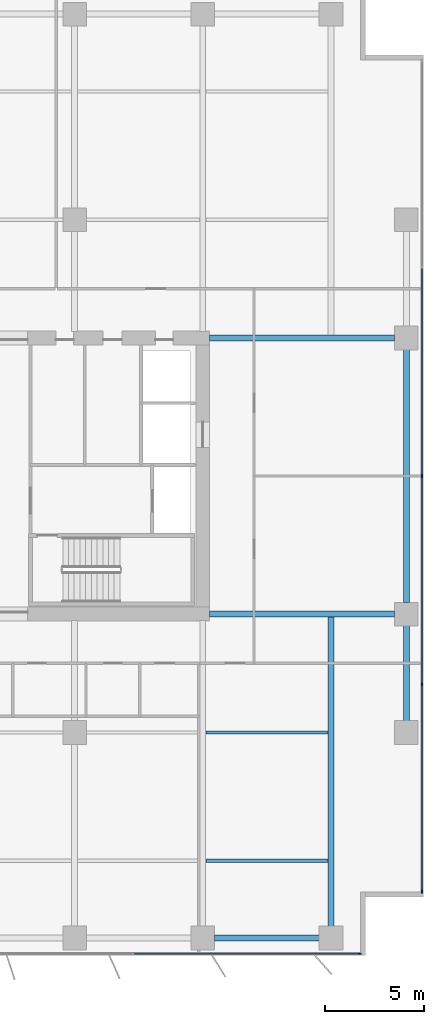
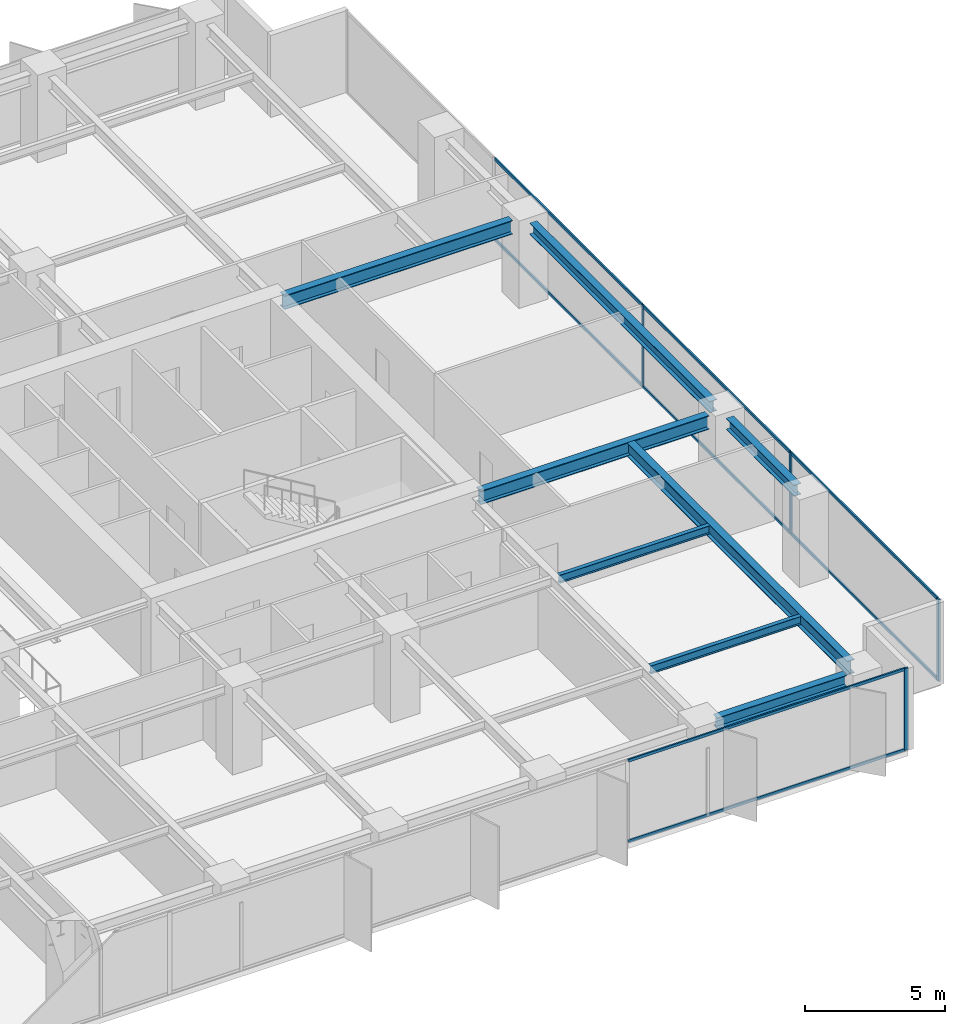
# One storey, part 10 of 20: 12 members, 8 beams, 2 elements without a shape of their own.
"""IFC4 building model written with IfcOpenShell, lengths in metres."""

from ifc_helpers import new_model, si_unit, direction, frame, origin, origin_2d, place, context, subcontext, project, spatial, rectangle, i_section, extrude, material, layer, layer_set, material_profile, profile_set, type_object, element, aggregate, save


model = new_model("IFC4")

# Units and contexts
model_context = context("Model", 3, precision=1e-05, world=origin(), true_north=direction((0.0, 1.0)))
body_context = subcontext(model_context, "Body", "Model", "MODEL_VIEW")
ifc_project = project(units=[si_unit("LENGTHUNIT", "METRE"), si_unit("AREAUNIT", "SQUARE_METRE"), si_unit("VOLUMEUNIT", "CUBIC_METRE"), si_unit("PLANEANGLEUNIT", "RADIAN"), si_unit("MASSUNIT", "GRAM", prefix="KILO")], contexts=[model_context])

# Site, building, storey
site_placement = place(None, origin())
site = spatial("IfcSite", under=ifc_project, at=site_placement, CompositionType="ELEMENT")
building_placement = place(site_placement, origin())
building = spatial("IfcBuilding", under=site, at=building_placement, Name="Putna Gate Headquarters", CompositionType="ELEMENT")
storey_placement = place(building_placement, frame((0.0, 0.0, 93.60009765625)))
storey = spatial("IfcBuildingStorey", under=building, at=storey_placement, Name="L22", CompositionType="ELEMENT", Elevation=93.60009765625)

# Beams
ifc_material_1 = material(Name="Steel S355J2", Category="steel")
ifc_material_profile_1 = material_profile(ifc_material_1, i_section(OverallWidth=0.300048828125, OverallDepth=0.60009765625, WebThickness=0.015380859375, FlangeThickness=0.030029296875, at=origin_2d()), Name="Steel S355J2")
ifc_profile_set_1 = profile_set([ifc_material_profile_1], Name="Steel S355J2")
beam_type_1 = type_object("IfcBeamType", Name="BM-GIRD-Z2-HEB600", PredefinedType="USERDEFINED", material=ifc_profile_set_1)
for number, where, z_axis, x_axis, name in (
    (1, (65.3349609375, 19.0, 3.264892578125), (1.0, 0.0, 0.0), (0.0, 1.0, 0.0), "L22 East Wing Girder Y19"),
    (2, (65.3349609375, 33.0, 3.264892578125), (1.0, 0.0, 0.0), (0.0, 1.0, 0.0), "L22 East Wing Girder Y33"),
):
    element("IfcBeam", number, at=place(storey_placement, frame(where, z_axis=z_axis, x_axis=x_axis)), inside=storey, type_object=beam_type_1, Name=name, ObjectType="GIRDER", PredefinedType="USERDEFINED", context=body_context, shape_type="SweptSolid", body=[
        extrude(i_section(OverallWidth=0.300048828125, OverallDepth=0.60009765625, WebThickness=0.015380859375, FlangeThickness=0.030029296875, at=origin_2d()), origin(), (0.0, 0.0, 1.0), 9.39697265625),
    ])
beam_1_placement = place(storey_placement, frame((71.5, 3.16796875, 3.264892578125), z_axis=(0.0, 1.0, 0.0), x_axis=(-1.0, 0.0, 0.0)))
element("IfcBeam", 3, at=beam_1_placement, inside=storey, type_object=beam_type_1, Name="L22 South Primary Girder X71", ObjectType="GIRDER", PredefinedType="USERDEFINED", context=body_context, shape_type="SweptSolid", body=[
    extrude(i_section(OverallWidth=0.300048828125, OverallDepth=0.60009765625, WebThickness=0.015380859375, FlangeThickness=0.030029296875, at=origin_2d()), origin(), (0.0, 0.0, 1.0), 15.820068359375),
])
ifc_material_profile_2 = material_profile(ifc_material_1, i_section(OverallWidth=0.169921875, OverallDepth=0.360107421875, WebThickness=0.008056640625, FlangeThickness=0.0126953125, at=origin_2d()), Name="Steel S355J2")
ifc_profile_set_2 = profile_set([ifc_material_profile_2], Name="Steel S355J2")
beam_type_2 = type_object("IfcBeamType", Name="BM-SEC-Z2-IPE360", PredefinedType="BEAM", material=ifc_profile_set_2)
for number, where, z_axis, x_axis, name in (
    (4, (65.154052734375, 6.5, 3.385009765625), (1.0, 0.0, 0.0), (0.0, 1.0, 0.0), "L22 South Secondary Beam 10"),
    (5, (65.154052734375, 13.0, 3.385009765625), (1.0, 0.0, 0.0), (0.0, 1.0, 0.0), "L22 South Secondary Beam 10"),
):
    element("IfcBeam", number, at=place(storey_placement, frame(where, z_axis=z_axis, x_axis=x_axis)), inside=storey, type_object=beam_type_2, Name=name, PredefinedType="BEAM", context=body_context, shape_type="SweptSolid", body=[
        extrude(i_section(OverallWidth=0.169921875, OverallDepth=0.360107421875, WebThickness=0.008056640625, FlangeThickness=0.0126953125, at=origin_2d()), origin(), (0.0, 0.0, 1.0), 6.19189453125),
    ])
ifc_material_profile_3 = material_profile(ifc_material_1, i_section(OverallWidth=0.300048828125, OverallDepth=0.489990234375, WebThickness=0.011962890625, FlangeThickness=0.02294921875, at=origin_2d()), Name="Steel S355J2")
ifc_profile_set_3 = profile_set([ifc_material_profile_3], Name="Steel S355J2")
beam_type_3 = type_object("IfcBeamType", Name="BM-SPAN-Z2-HEA500", PredefinedType="SPANDREL", material=ifc_profile_set_3)
beam_2_placement = place(storey_placement, frame((65.587890625, 2.580078125, 3.31982421875), z_axis=(1.0, 0.0, 0.0), x_axis=(0.0, 1.0, 0.0)))
element("IfcBeam", 6, at=beam_2_placement, inside=storey, type_object=beam_type_3, Name="L22 S Perimeter Spandrel 10", PredefinedType="SPANDREL", context=body_context, shape_type="SweptSolid", body=[
    extrude(i_section(OverallWidth=0.300048828125, OverallDepth=0.489990234375, WebThickness=0.011962890625, FlangeThickness=0.02294921875, at=origin_2d()), origin(), (0.0, 0.0, 1.0), 5.32421875),
])
beam_3_placement = place(storey_placement, frame((75.320068359375, 13.587890625, 3.31982421875), z_axis=(0.0, 1.0, 0.0), x_axis=(-1.0, 0.0, 0.0)))
element("IfcBeam", 7, at=beam_3_placement, inside=storey, type_object=beam_type_3, Name="L22 E End Spandrel 1", PredefinedType="SPANDREL", context=body_context, shape_type="SweptSolid", body=[
    extrude(i_section(OverallWidth=0.300048828125, OverallDepth=0.489990234375, WebThickness=0.011962890625, FlangeThickness=0.02294921875, at=origin_2d()), origin(), (0.0, 0.0, 1.0), 4.82421875),
])
beam_4_placement = place(storey_placement, frame((75.320068359375, 19.587890625, 3.31982421875), z_axis=(0.0, 1.0, 0.0), x_axis=(-1.0, 0.0, 0.0)))
element("IfcBeam", 8, at=beam_4_placement, inside=storey, type_object=beam_type_3, Name="L22 E End Spandrel 2", PredefinedType="SPANDREL", context=body_context, shape_type="SweptSolid", body=[
    extrude(i_section(OverallWidth=0.300048828125, OverallDepth=0.489990234375, WebThickness=0.011962890625, FlangeThickness=0.02294921875, at=origin_2d()), origin(), (0.0, 0.0, 1.0), 12.82421875),
])

# Curtain wall, member
ifc_material_2 = material(Name="Anodised bronze aluminium curtain wall", Category="aluminium")
ifc_layer = layer(ifc_material_2, 0.159912109375)
ifc_layer_set = layer_set([ifc_layer], Name="Anodised bronze aluminium curtain wall")
curtain_wall_type = type_object("IfcCurtainWallType", Name="CW-SYS-Z2", PredefinedType="USERDEFINED", material=ifc_layer_set)
curtain_wall_1_placement = place(storey_placement, origin())
curtain_wall_1 = element("IfcCurtainWall", 9, at=curtain_wall_1_placement, inside=storey, type_object=curtain_wall_type, Name="L22 South East Curtain Wall", ObjectType="STICK CURTAIN WALL", PredefinedType="USERDEFINED")
ifc_material_3 = material(Name="Anodised bronze aluminium EN AW-6060", Category="aluminium")
ifc_material_profile_4 = material_profile(ifc_material_3, rectangle(XDim=0.06494140625, YDim=0.159912109375, at=origin_2d()), Name="Anodised bronze aluminium EN AW-6060")
ifc_profile_set_4 = profile_set([ifc_material_profile_4], Name="Anodised bronze aluminium EN AW-6060")
member_type_1 = type_object("IfcMemberType", Name="MULL-CWM-2", PredefinedType="MULLION", material=ifc_profile_set_4)
member_1_placement = place(storey_placement, frame((72.967529296875, 1.780029296875, 0.0), z_axis=(0.0, 0.0, 1.0), x_axis=(0.0, 1.0, 0.0)))
member_1 = element("IfcMember", 10, at=member_1_placement, type_object=member_type_1, Name="CWS-2 mullion 3", PredefinedType="MULLION", context=body_context, shape_type="SweptSolid", body=[
    extrude(rectangle(XDim=0.06494140625, YDim=0.159912109375, at=origin_2d()), origin(), (0.0, 0.0, 1.0), 3.56494140625),
])

# Curtain wall, members
curtain_wall_2_placement = place(storey_placement, origin())
curtain_wall_2 = element("IfcCurtainWall", 11, at=curtain_wall_2_placement, inside=storey, type_object=curtain_wall_type, Name="L22 East Curtain Wall", ObjectType="STICK CURTAIN WALL", PredefinedType="USERDEFINED")
member_2_placement = place(storey_placement, frame((76.1201171875, 4.9326171875, 0.0), z_axis=(0.0, 0.0, 1.0), x_axis=(-1.0, 0.0, 0.0)))
member_2 = element("IfcMember", 12, at=member_2_placement, type_object=member_type_1, Name="CWS-2 mullion 1", PredefinedType="MULLION", context=body_context, shape_type="SweptSolid", body=[
    extrude(rectangle(XDim=0.06494140625, YDim=0.159912109375, at=origin_2d()), origin(), (0.0, 0.0, 1.0), 3.56494140625),
])
member_3_placement = place(storey_placement, frame((76.1201171875, 15.449951171875, 0.0), z_axis=(0.0, 0.0, 1.0), x_axis=(-1.0, 0.0, 0.0)))
member_3 = element("IfcMember", 13, at=member_3_placement, type_object=member_type_1, Name="CWS-2 mullion 2", PredefinedType="MULLION", context=body_context, shape_type="SweptSolid", body=[
    extrude(rectangle(XDim=0.06494140625, YDim=0.159912109375, at=origin_2d()), origin(), (0.0, 0.0, 1.0), 3.56494140625),
])
member_4_placement = place(storey_placement, frame((76.1201171875, 26.0, 0.0), z_axis=(0.0, 0.0, 1.0), x_axis=(-1.0, 0.0, 0.0)))
member_4 = element("IfcMember", 14, at=member_4_placement, type_object=member_type_1, Name="CWS-2 mullion 3", PredefinedType="MULLION", context=body_context, shape_type="SweptSolid", body=[
    extrude(rectangle(XDim=0.06494140625, YDim=0.159912109375, at=origin_2d()), origin(), (0.0, 0.0, 1.0), 3.56494140625),
])

# Member
ifc_material_profile_5 = material_profile(ifc_material_3, rectangle(XDim=0.06494140625, YDim=0.1201171875, at=origin_2d()), Name="Anodised bronze aluminium EN AW-6060")
ifc_profile_set_5 = profile_set([ifc_material_profile_5], Name="Anodised bronze aluminium EN AW-6060")
member_type_2 = type_object("IfcMemberType", Name="TRAN-CWT-2", PredefinedType="USERDEFINED", material=ifc_profile_set_5)
member_5_placement = place(storey_placement, frame((61.532470703125, 1.780029296875, 0.032470703125), z_axis=(1.0, 0.0, 0.0), x_axis=(0.0, 1.0, 0.0)))
member_5 = element("IfcMember", 15, at=member_5_placement, type_object=member_type_2, Name="CWS-2 transom 2.1", ObjectType="TRANSOM", PredefinedType="USERDEFINED", context=body_context, shape_type="SweptSolid", body=[
    extrude(rectangle(XDim=0.06494140625, YDim=0.1201171875, at=origin_2d()), origin(), (0.0, 0.0, 1.0), 11.402587890625),
])

member_6_placement = place(storey_placement, frame((61.532470703125, 1.780029296875, 3.532470703125), z_axis=(1.0, 0.0, 0.0), x_axis=(0.0, 1.0, 0.0)))
member_6 = element("IfcMember", 16, at=member_6_placement, type_object=member_type_2, Name="CWS-2 transom 2.2", ObjectType="TRANSOM", PredefinedType="USERDEFINED", context=body_context, shape_type="SweptSolid", body=[
    extrude(rectangle(XDim=0.06494140625, YDim=0.1201171875, at=origin_2d()), origin(), (0.0, 0.0, 1.0), 11.402587890625),
])

aggregate(curtain_wall_1, [member_1, member_5, member_6])

member_7_placement = place(storey_placement, frame((76.1201171875, 4.965087890625, 0.032470703125), z_axis=(0.0, 1.0, 0.0), x_axis=(-1.0, 0.0, 0.0)))
member_7 = element("IfcMember", 17, at=member_7_placement, type_object=member_type_2, Name="CWS-2 transom 1.1", ObjectType="TRANSOM", PredefinedType="USERDEFINED", context=body_context, shape_type="SweptSolid", body=[
    extrude(rectangle(XDim=0.06494140625, YDim=0.1201171875, at=origin_2d()), origin(), (0.0, 0.0, 1.0), 10.452392578125),
])

member_8_placement = place(storey_placement, frame((76.1201171875, 4.965087890625, 3.532470703125), z_axis=(0.0, 1.0, 0.0), x_axis=(-1.0, 0.0, 0.0)))
member_8 = element("IfcMember", 18, at=member_8_placement, type_object=member_type_2, Name="CWS-2 transom 1.2", ObjectType="TRANSOM", PredefinedType="USERDEFINED", context=body_context, shape_type="SweptSolid", body=[
    extrude(rectangle(XDim=0.06494140625, YDim=0.1201171875, at=origin_2d()), origin(), (0.0, 0.0, 1.0), 10.452392578125),
])

member_9_placement = place(storey_placement, frame((76.1201171875, 15.482421875, 0.032470703125), z_axis=(0.0, 1.0, 0.0), x_axis=(-1.0, 0.0, 0.0)))
member_9 = element("IfcMember", 19, at=member_9_placement, type_object=member_type_2, Name="CWS-2 transom 2.1", ObjectType="TRANSOM", PredefinedType="USERDEFINED", context=body_context, shape_type="SweptSolid", body=[
    extrude(rectangle(XDim=0.06494140625, YDim=0.1201171875, at=origin_2d()), origin(), (0.0, 0.0, 1.0), 10.485107421875),
])

member_10_placement = place(storey_placement, frame((76.1201171875, 15.482421875, 3.532470703125), z_axis=(0.0, 1.0, 0.0), x_axis=(-1.0, 0.0, 0.0)))
member_10 = element("IfcMember", 20, at=member_10_placement, type_object=member_type_2, Name="CWS-2 transom 2.2", ObjectType="TRANSOM", PredefinedType="USERDEFINED", context=body_context, shape_type="SweptSolid", body=[
    extrude(rectangle(XDim=0.06494140625, YDim=0.1201171875, at=origin_2d()), origin(), (0.0, 0.0, 1.0), 10.485107421875),
])

member_11_placement = place(storey_placement, frame((76.1201171875, 26.032470703125, 0.032470703125), z_axis=(0.0, 1.0, 0.0), x_axis=(-1.0, 0.0, 0.0)))
member_11 = element("IfcMember", 21, at=member_11_placement, type_object=member_type_2, Name="CWS-2 transom 3.1", ObjectType="TRANSOM", PredefinedType="USERDEFINED", context=body_context, shape_type="SweptSolid", body=[
    extrude(rectangle(XDim=0.06494140625, YDim=0.1201171875, at=origin_2d()), origin(), (0.0, 0.0, 1.0), 10.485107421875),
])

member_12_placement = place(storey_placement, frame((76.1201171875, 26.032470703125, 3.532470703125), z_axis=(0.0, 1.0, 0.0), x_axis=(-1.0, 0.0, 0.0)))
member_12 = element("IfcMember", 22, at=member_12_placement, type_object=member_type_2, Name="CWS-2 transom 3.2", ObjectType="TRANSOM", PredefinedType="USERDEFINED", context=body_context, shape_type="SweptSolid", body=[
    extrude(rectangle(XDim=0.06494140625, YDim=0.1201171875, at=origin_2d()), origin(), (0.0, 0.0, 1.0), 10.485107421875),
])

aggregate(curtain_wall_2, [member_2, member_3, member_4, member_7, member_8, member_9, member_10, member_11, member_12])

save(model, "model.ifc")
